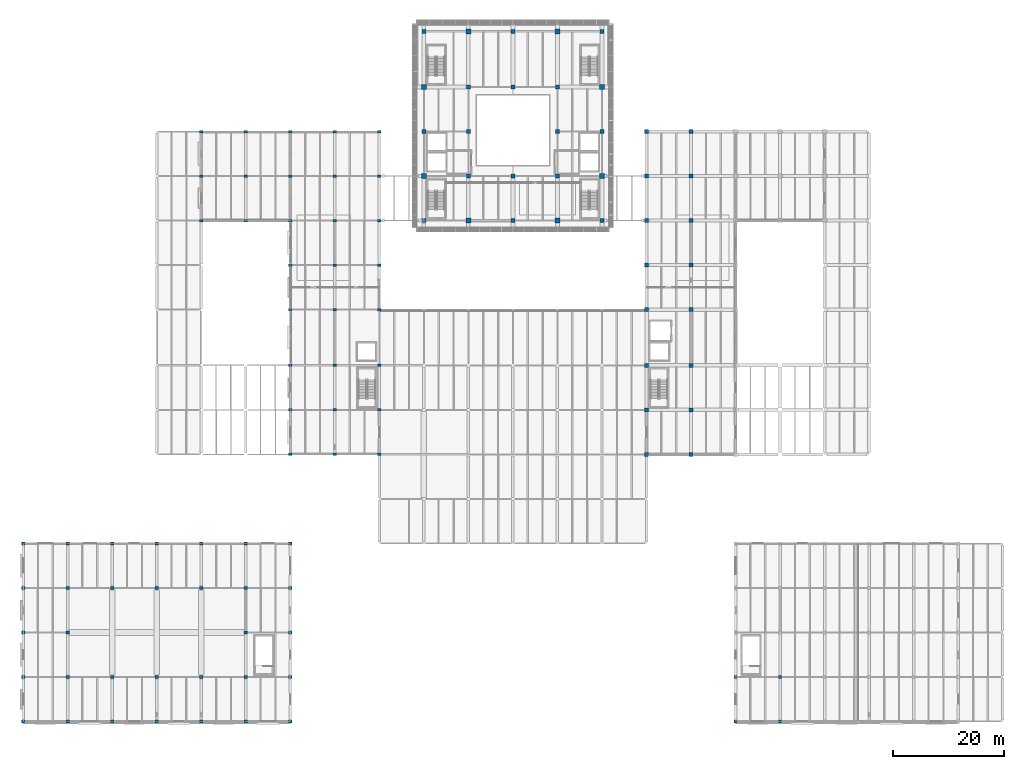
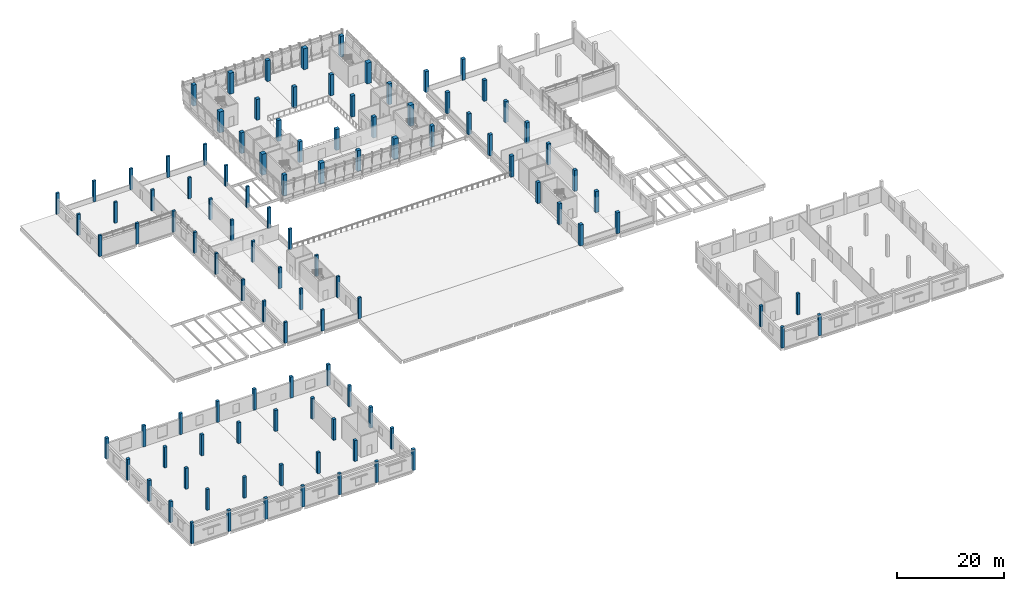
# One storey, part 1 of 52: 106 columns.
"""IFC4 building model written with IfcOpenShell, lengths in metres."""

from ifc_helpers import new_model, si_unit, direction, frame, origin, origin_2d, place, context, subcontext, project, spatial, rectangle, extrude, material, material_profile, profile_set, type_object, element, save


model = new_model("IFC4")

# Units and contexts
model_context = context("Model", 3, precision=1e-05, world=origin(), true_north=direction((0.0, 1.0)))
body_context = subcontext(model_context, "Body", "Model", "MODEL_VIEW")
ifc_project = project(units=[si_unit("LENGTHUNIT", "METRE"), si_unit("AREAUNIT", "SQUARE_METRE"), si_unit("VOLUMEUNIT", "CUBIC_METRE"), si_unit("PLANEANGLEUNIT", "RADIAN"), si_unit("MASSUNIT", "GRAM", prefix="KILO")], contexts=[model_context])

# Site, building, storey
site_placement = place(None, origin())
site = spatial("IfcSite", under=ifc_project, at=site_placement, CompositionType="ELEMENT")
building_placement = place(site_placement, origin())
building = spatial("IfcBuilding", under=site, at=building_placement, Name="Pecanmere Concourse Central Library", CompositionType="ELEMENT")
storey_placement = place(building_placement, frame((0.0, 0.0, 10.5)))
storey = spatial("IfcBuildingStorey", under=building, at=storey_placement, Name="L03", CompositionType="ELEMENT", Elevation=10.5)

# Columns
ifc_material_1 = material(Name="Concrete C40/50", Category="concrete")
ifc_material_profile_1 = material_profile(ifc_material_1, rectangle(XDim=0.550048828125, YDim=0.550048828125, at=origin_2d()), Name="RC 550x550")
ifc_profile_set_1 = profile_set([ifc_material_profile_1], Name="Concrete C40/50")
column_type_1 = type_object("IfcColumnType", Name="COL_RC_550x550", PredefinedType="COLUMN", material=ifc_profile_set_1)
for number, where, z_axis, x_axis, name in (
    (1, (128.0, 0.0, 0.0), (0.0, 0.0, 1.0), (1.0, 0.0, 0.0), "Column C-09 L03-103"),
    (2, (128.0, 8.0, 0.0), (0.0, 0.0, 1.0), (1.0, 0.0, 0.0), "Column C-09 L03-104"),
    (3, (136.0, 0.0, 0.0), (0.0, 0.0, 1.0), (1.0, 0.0, 0.0), "Column C-09 L03-116"),
    (4, (136.0, 8.0, 0.0), (0.0, 0.0, 1.0), (1.0, 0.0, 0.0), "Column C-09 L03-117"),
):
    element("IfcColumn", number, at=place(storey_placement, frame(where, z_axis=z_axis, x_axis=x_axis)), inside=storey, type_object=column_type_1, Name=name, PredefinedType="COLUMN", context=body_context, shape_type="SweptSolid", body=[
        extrude(rectangle(XDim=0.550048828125, YDim=0.550048828125, at=origin_2d()), origin(), (0.0, 0.0, 1.0), 4.800048828125),
    ])
ifc_material_2 = material(Name="Concrete C40/50", Category="concrete")
ifc_material_profile_2 = material_profile(ifc_material_2, rectangle(XDim=0.60009765625, YDim=0.60009765625, at=origin_2d()), Name="RC 600x600")
ifc_profile_set_2 = profile_set([ifc_material_profile_2], Name="Concrete C40/50")
column_type_2 = type_object("IfcColumnType", Name="COL_RC_600x600", PredefinedType="COLUMN", material=ifc_profile_set_2)
for number, where, z_axis, x_axis, name in (
    (5, (0.0, 0.0, 0.0), (0.0, 0.0, 1.0), (1.0, 0.0, 0.0), "Column C-08 L03-001"),
    (6, (0.0, 8.0, 0.0), (0.0, 0.0, 1.0), (1.0, 0.0, 0.0), "Column C-08 L03-002"),
    (7, (0.0, 16.0, 0.0), (0.0, 0.0, 1.0), (1.0, 0.0, 0.0), "Column C-08 L03-003"),
    (8, (0.0, 24.0, 0.0), (0.0, 0.0, 1.0), (1.0, 0.0, 0.0), "Column C-08 L03-004"),
    (9, (0.0, 32.0, 0.0), (0.0, 0.0, 1.0), (1.0, 0.0, 0.0), "Column C-08 L03-005"),
    (10, (8.0, 0.0, 0.0), (0.0, 0.0, 1.0), (1.0, 0.0, 0.0), "Column C-08 L03-006"),
    (11, (8.0, 8.0, 0.0), (0.0, 0.0, 1.0), (1.0, 0.0, 0.0), "Column C-08 L03-007"),
    (12, (8.0, 16.0, 0.0), (0.0, 0.0, 1.0), (1.0, 0.0, 0.0), "Column C-08 L03-008"),
    (13, (8.0, 24.0, 0.0), (0.0, 0.0, 1.0), (1.0, 0.0, 0.0), "Column C-08 L03-009"),
    (14, (8.0, 32.0, 0.0), (0.0, 0.0, 1.0), (1.0, 0.0, 0.0), "Column C-08 L03-010"),
    (15, (16.0, 0.0, 0.0), (0.0, 0.0, 1.0), (1.0, 0.0, 0.0), "Column C-08 L03-011"),
    (16, (16.0, 8.0, 0.0), (0.0, 0.0, 1.0), (1.0, 0.0, 0.0), "Column C-08 L03-012"),
    (17, (16.0, 24.0, 0.0), (0.0, 0.0, 1.0), (1.0, 0.0, 0.0), "Column C-08 L03-013"),
    (18, (16.0, 32.0, 0.0), (0.0, 0.0, 1.0), (1.0, 0.0, 0.0), "Column C-08 L03-014"),
    (19, (24.0, 0.0, 0.0), (0.0, 0.0, 1.0), (1.0, 0.0, 0.0), "Column C-08 L03-015"),
    (20, (24.0, 8.0, 0.0), (0.0, 0.0, 1.0), (1.0, 0.0, 0.0), "Column C-08 L03-016"),
    (21, (24.0, 24.0, 0.0), (0.0, 0.0, 1.0), (1.0, 0.0, 0.0), "Column C-08 L03-017"),
    (22, (24.0, 32.0, 0.0), (0.0, 0.0, 1.0), (1.0, 0.0, 0.0), "Column C-08 L03-018"),
    (23, (32.0, 0.0, 0.0), (0.0, 0.0, 1.0), (1.0, 0.0, 0.0), "Column C-08 L03-019"),
    (24, (32.0, 8.0, 0.0), (0.0, 0.0, 1.0), (1.0, 0.0, 0.0), "Column C-08 L03-020"),
    (25, (32.0, 24.0, 0.0), (0.0, 0.0, 1.0), (1.0, 0.0, 0.0), "Column C-08 L03-021"),
    (26, (32.0, 32.0, 0.0), (0.0, 0.0, 1.0), (1.0, 0.0, 0.0), "Column C-08 L03-022"),
    (27, (40.0, 0.0, 0.0), (0.0, 0.0, 1.0), (1.0, 0.0, 0.0), "Column C-08 L03-026"),
    (28, (40.0, 8.0, 0.0), (0.0, 0.0, 1.0), (1.0, 0.0, 0.0), "Column C-08 L03-027"),
    (29, (40.0, 16.0, 0.0), (0.0, 0.0, 1.0), (1.0, 0.0, 0.0), "Column C-08 L03-028"),
    (30, (40.0, 24.0, 0.0), (0.0, 0.0, 1.0), (1.0, 0.0, 0.0), "Column C-08 L03-029"),
    (31, (40.0, 32.0, 0.0), (0.0, 0.0, 1.0), (1.0, 0.0, 0.0), "Column C-08 L03-030"),
    (32, (48.0, 0.0, 0.0), (0.0, 0.0, 1.0), (1.0, 0.0, 0.0), "Column C-08 L03-034"),
    (33, (48.0, 8.0, 0.0), (0.0, 0.0, 1.0), (1.0, 0.0, 0.0), "Column C-08 L03-035"),
    (34, (48.0, 16.0, 0.0), (0.0, 0.0, 1.0), (1.0, 0.0, 0.0), "Column C-08 L03-036"),
    (35, (48.0, 24.0, 0.0), (0.0, 0.0, 1.0), (1.0, 0.0, 0.0), "Column C-08 L03-037"),
    (36, (48.0, 32.0, 0.0), (0.0, 0.0, 1.0), (1.0, 0.0, 0.0), "Column C-08 L03-038"),
):
    element("IfcColumn", number, at=place(storey_placement, frame(where, z_axis=z_axis, x_axis=x_axis)), inside=storey, type_object=column_type_2, Name=name, PredefinedType="COLUMN", context=body_context, shape_type="SweptSolid", body=[
        extrude(rectangle(XDim=0.60009765625, YDim=0.60009765625, at=origin_2d()), origin(), (0.0, 0.0, 1.0), 4.800048828125),
    ])
ifc_material_3 = material(Name="Concrete C40/50", Category="concrete")
ifc_material_profile_3 = material_profile(ifc_material_3, rectangle(XDim=0.6201171875, YDim=0.43994140625, at=origin_2d()), Name="RC 620x440")
ifc_profile_set_3 = profile_set([ifc_material_profile_3], Name="Concrete C40/50")
column_type_3 = type_object("IfcColumnType", Name="COL_RC_620x440", PredefinedType="COLUMN", material=ifc_profile_set_3)
for number, where, z_axis, x_axis, name in (
    (37, (32.0, 90.0, 0.0), (0.0, 0.0, 1.0), (1.0, 0.0, 0.0), "Column C-18 L03-023"),
    (38, (32.0, 98.0, 0.0), (0.0, 0.0, 1.0), (1.0, 0.0, 0.0), "Column C-18 L03-024"),
    (39, (32.0, 106.0, 0.0), (0.0, 0.0, 1.0), (1.0, 0.0, 0.0), "Column C-18 L03-025"),
    (40, (40.0, 90.0, 0.0), (0.0, 0.0, 1.0), (1.0, 0.0, 0.0), "Column C-18 L03-031"),
    (41, (40.0, 98.0, 0.0), (0.0, 0.0, 1.0), (1.0, 0.0, 0.0), "Column C-18 L03-032"),
    (42, (40.0, 106.0, 0.0), (0.0, 0.0, 1.0), (1.0, 0.0, 0.0), "Column C-18 L03-033"),
    (43, (48.0, 48.0, 0.0), (0.0, 0.0, 1.0), (1.0, 0.0, 0.0), "Column C-18 L03-039"),
    (44, (48.0, 56.0, 0.0), (0.0, 0.0, 1.0), (1.0, 0.0, 0.0), "Column C-18 L03-040"),
    (45, (48.0, 64.0, 0.0), (0.0, 0.0, 1.0), (1.0, 0.0, 0.0), "Column C-18 L03-041"),
    (46, (48.0, 74.0, 0.0), (0.0, 0.0, 1.0), (1.0, 0.0, 0.0), "Column C-18 L03-042"),
    (47, (48.0, 82.0, 0.0), (0.0, 0.0, 1.0), (1.0, 0.0, 0.0), "Column C-18 L03-043"),
    (48, (48.0, 90.0, 0.0), (0.0, 0.0, 1.0), (1.0, 0.0, 0.0), "Column C-18 L03-044"),
    (49, (48.0, 98.0, 0.0), (0.0, 0.0, 1.0), (1.0, 0.0, 0.0), "Column C-18 L03-045"),
    (50, (48.0, 106.0, 0.0), (0.0, 0.0, 1.0), (1.0, 0.0, 0.0), "Column C-18 L03-046"),
    (51, (56.0, 48.0, 0.0), (0.0, 0.0, 1.0), (1.0, 0.0, 0.0), "Column C-18 L03-047"),
    (52, (56.0, 56.0, 0.0), (0.0, 0.0, 1.0), (1.0, 0.0, 0.0), "Column C-18 L03-048"),
    (53, (56.0, 64.0, 0.0), (0.0, 0.0, 1.0), (1.0, 0.0, 0.0), "Column C-18 L03-049"),
    (54, (56.0, 74.0, 0.0), (0.0, 0.0, 1.0), (1.0, 0.0, 0.0), "Column C-18 L03-050"),
    (55, (56.0, 82.0, 0.0), (0.0, 0.0, 1.0), (1.0, 0.0, 0.0), "Column C-18 L03-051"),
    (56, (56.0, 90.0, 0.0), (0.0, 0.0, 1.0), (1.0, 0.0, 0.0), "Column C-18 L03-052"),
    (57, (56.0, 98.0, 0.0), (0.0, 0.0, 1.0), (1.0, 0.0, 0.0), "Column C-18 L03-053"),
    (58, (56.0, 106.0, 0.0), (0.0, 0.0, 1.0), (1.0, 0.0, 0.0), "Column C-18 L03-054"),
    (59, (64.0, 48.0, 0.0), (0.0, 0.0, 1.0), (1.0, 0.0, 0.0), "Column C-18 L03-055"),
    (60, (64.0, 56.0, 0.0), (0.0, 0.0, 1.0), (1.0, 0.0, 0.0), "Column C-18 L03-056"),
    (61, (64.0, 64.0, 0.0), (0.0, 0.0, 1.0), (1.0, 0.0, 0.0), "Column C-18 L03-057"),
    (62, (64.0, 74.0, 0.0), (0.0, 0.0, 1.0), (1.0, 0.0, 0.0), "Column C-18 L03-058"),
    (63, (64.0, 82.0, 0.0), (0.0, 0.0, 1.0), (1.0, 0.0, 0.0), "Column C-18 L03-059"),
    (64, (64.0, 90.0, 0.0), (0.0, 0.0, 1.0), (1.0, 0.0, 0.0), "Column C-18 L03-060"),
    (65, (64.0, 98.0, 0.0), (0.0, 0.0, 1.0), (1.0, 0.0, 0.0), "Column C-18 L03-061"),
    (66, (64.0, 106.0, 0.0), (0.0, 0.0, 1.0), (1.0, 0.0, 0.0), "Column C-18 L03-062"),
):
    element("IfcColumn", number, at=place(storey_placement, frame(where, z_axis=z_axis, x_axis=x_axis)), inside=storey, type_object=column_type_3, Name=name, PredefinedType="COLUMN", context=body_context, shape_type="SweptSolid", body=[
        extrude(rectangle(XDim=0.6201171875, YDim=0.43994140625, at=origin_2d()), origin(), (0.0, 0.0, 1.0), 4.800048828125),
    ])
ifc_material_4 = material(Name="Concrete C40/50", Category="concrete")
ifc_material_profile_4 = material_profile(ifc_material_4, rectangle(XDim=0.699951171875, YDim=0.699951171875, at=origin_2d()), Name="RC 700x700")
ifc_profile_set_4 = profile_set([ifc_material_profile_4], Name="Concrete C40/50")
column_type_4 = type_object("IfcColumnType", Name="COL_RC_700x700", PredefinedType="COLUMN", material=ifc_profile_set_4)
for number, where, z_axis, x_axis, name in (
    (67, (112.0, 48.0, 0.0), (0.0, 0.0, 1.0), (1.0, 0.0, 0.0), "Column C-06 L03-087"),
    (68, (112.0, 56.0, 0.0), (0.0, 0.0, 1.0), (1.0, 0.0, 0.0), "Column C-06 L03-088"),
    (69, (112.0, 64.0, 0.0), (0.0, 0.0, 1.0), (1.0, 0.0, 0.0), "Column C-06 L03-089"),
    (70, (112.0, 74.0, 0.0), (0.0, 0.0, 1.0), (1.0, 0.0, 0.0), "Column C-06 L03-090"),
    (71, (112.0, 82.0, 0.0), (0.0, 0.0, 1.0), (1.0, 0.0, 0.0), "Column C-06 L03-091"),
    (72, (112.0, 90.0, 0.0), (0.0, 0.0, 1.0), (1.0, 0.0, 0.0), "Column C-06 L03-092"),
    (73, (112.0, 98.0, 0.0), (0.0, 0.0, 1.0), (1.0, 0.0, 0.0), "Column C-06 L03-093"),
    (74, (112.0, 106.0, 0.0), (0.0, 0.0, 1.0), (1.0, 0.0, 0.0), "Column C-06 L03-094"),
    (75, (120.0, 48.0, 0.0), (0.0, 0.0, 1.0), (1.0, 0.0, 0.0), "Column C-06 L03-095"),
    (76, (120.0, 56.0, 0.0), (0.0, 0.0, 1.0), (1.0, 0.0, 0.0), "Column C-06 L03-096"),
    (77, (120.0, 64.0, 0.0), (0.0, 0.0, 1.0), (1.0, 0.0, 0.0), "Column C-06 L03-097"),
    (78, (120.0, 74.0, 0.0), (0.0, 0.0, 1.0), (1.0, 0.0, 0.0), "Column C-06 L03-098"),
    (79, (120.0, 82.0, 0.0), (0.0, 0.0, 1.0), (1.0, 0.0, 0.0), "Column C-06 L03-099"),
    (80, (120.0, 90.0, 0.0), (0.0, 0.0, 1.0), (1.0, 0.0, 0.0), "Column C-06 L03-100"),
    (81, (120.0, 98.0, 0.0), (0.0, 0.0, 1.0), (1.0, 0.0, 0.0), "Column C-06 L03-101"),
    (82, (120.0, 106.0, 0.0), (0.0, 0.0, 1.0), (1.0, 0.0, 0.0), "Column C-06 L03-102"),
):
    element("IfcColumn", number, at=place(storey_placement, frame(where, z_axis=z_axis, x_axis=x_axis)), inside=storey, type_object=column_type_4, Name=name, PredefinedType="COLUMN", context=body_context, shape_type="SweptSolid", body=[
        extrude(rectangle(XDim=0.699951171875, YDim=0.699951171875, at=origin_2d()), origin(), (0.0, 0.0, 1.0), 4.800048828125),
    ])
ifc_material_5 = material(Name="Concrete C40/50", Category="concrete")
ifc_material_profile_5 = material_profile(ifc_material_5, rectangle(XDim=0.75, YDim=0.75, at=origin_2d()), Name="RC 750x750")
ifc_profile_set_5 = profile_set([ifc_material_profile_5], Name="Concrete C40/50")
column_type_5 = type_object("IfcColumnType", Name="COL_RC_750x750", PredefinedType="COLUMN", material=ifc_profile_set_5)
for number, where, z_axis, x_axis, name in (
    (83, (72.0, 90.0, 0.0), (0.0, 0.0, 1.0), (1.0, 0.0, 0.0), "Column C-05 L03-063"),
    (84, (72.0, 106.0, 0.0), (0.0, 0.0, 1.0), (1.0, 0.0, 0.0), "Column C-05 L03-065"),
    (85, (72.0, 124.0, 0.0), (0.0, 0.0, 1.0), (1.0, 0.0, 0.0), "Column C-05 L03-067"),
    (86, (80.0, 98.0, 0.0), (0.0, 0.0, 1.0), (1.0, 0.0, 0.0), "Column C-05 L03-069"),
    (87, (80.0, 106.0, 0.0), (0.0, 0.0, 1.0), (1.0, 0.0, 0.0), "Column C-05 L03-070"),
    (88, (80.0, 114.0, 0.0), (0.0, 0.0, 1.0), (1.0, 0.0, 0.0), "Column C-05 L03-071"),
    (89, (88.0, 90.0, 0.0), (0.0, 0.0, 1.0), (1.0, 0.0, 0.0), "Column C-05 L03-073"),
    (90, (88.0, 98.0, 0.0), (0.0, 0.0, 1.0), (1.0, 0.0, 0.0), "Column C-05 L03-074"),
    (91, (88.0, 114.0, 0.0), (0.0, 0.0, 1.0), (1.0, 0.0, 0.0), "Column C-05 L03-075"),
    (92, (88.0, 124.0, 0.0), (0.0, 0.0, 1.0), (1.0, 0.0, 0.0), "Column C-05 L03-076"),
    (93, (96.0, 98.0, 0.0), (0.0, 0.0, 1.0), (1.0, 0.0, 0.0), "Column C-05 L03-078"),
    (94, (96.0, 106.0, 0.0), (0.0, 0.0, 1.0), (1.0, 0.0, 0.0), "Column C-05 L03-079"),
    (95, (96.0, 114.0, 0.0), (0.0, 0.0, 1.0), (1.0, 0.0, 0.0), "Column C-05 L03-080"),
    (96, (104.0, 90.0, 0.0), (0.0, 0.0, 1.0), (1.0, 0.0, 0.0), "Column C-05 L03-082"),
    (97, (104.0, 106.0, 0.0), (0.0, 0.0, 1.0), (1.0, 0.0, 0.0), "Column C-05 L03-084"),
    (98, (104.0, 124.0, 0.0), (0.0, 0.0, 1.0), (1.0, 0.0, 0.0), "Column C-05 L03-086"),
):
    element("IfcColumn", number, at=place(storey_placement, frame(where, z_axis=z_axis, x_axis=x_axis)), inside=storey, type_object=column_type_5, Name=name, PredefinedType="COLUMN", context=body_context, shape_type="SweptSolid", body=[
        extrude(rectangle(XDim=0.75, YDim=0.75, at=origin_2d()), origin(), (0.0, 0.0, 1.0), 4.800048828125),
    ])
ifc_material_6 = material(Name="Concrete C40/50", Category="concrete")
ifc_material_profile_6 = material_profile(ifc_material_6, rectangle(XDim=0.919921875, YDim=0.919921875, at=origin_2d()), Name="RC 920x920")
ifc_profile_set_6 = profile_set([ifc_material_profile_6], Name="Concrete C40/50")
column_type_6 = type_object("IfcColumnType", Name="COL_RC_920x920", PredefinedType="COLUMN", material=ifc_profile_set_6)
for number, where, z_axis, x_axis, name in (
    (99, (72.0, 98.0, 0.0), (0.0, 0.0, 1.0), (1.0, 0.0, 0.0), "Column C-02 L03-064"),
    (100, (72.0, 114.0, 0.0), (0.0, 0.0, 1.0), (1.0, 0.0, 0.0), "Column C-02 L03-066"),
    (101, (80.0, 90.0, 0.0), (0.0, 0.0, 1.0), (1.0, 0.0, 0.0), "Column C-02 L03-068"),
    (102, (80.0, 124.0, 0.0), (0.0, 0.0, 1.0), (1.0, 0.0, 0.0), "Column C-02 L03-072"),
    (103, (96.0, 90.0, 0.0), (0.0, 0.0, 1.0), (1.0, 0.0, 0.0), "Column C-02 L03-077"),
    (104, (96.0, 124.0, 0.0), (0.0, 0.0, 1.0), (1.0, 0.0, 0.0), "Column C-02 L03-081"),
    (105, (104.0, 98.0, 0.0), (0.0, 0.0, 1.0), (1.0, 0.0, 0.0), "Column C-02 L03-083"),
    (106, (104.0, 114.0, 0.0), (0.0, 0.0, 1.0), (1.0, 0.0, 0.0), "Column C-02 L03-085"),
):
    element("IfcColumn", number, at=place(storey_placement, frame(where, z_axis=z_axis, x_axis=x_axis)), inside=storey, type_object=column_type_6, Name=name, PredefinedType="COLUMN", context=body_context, shape_type="SweptSolid", body=[
        extrude(rectangle(XDim=0.919921875, YDim=0.919921875, at=origin_2d()), origin(), (0.0, 0.0, 1.0), 4.800048828125),
    ])

save(model, "model.ifc")
